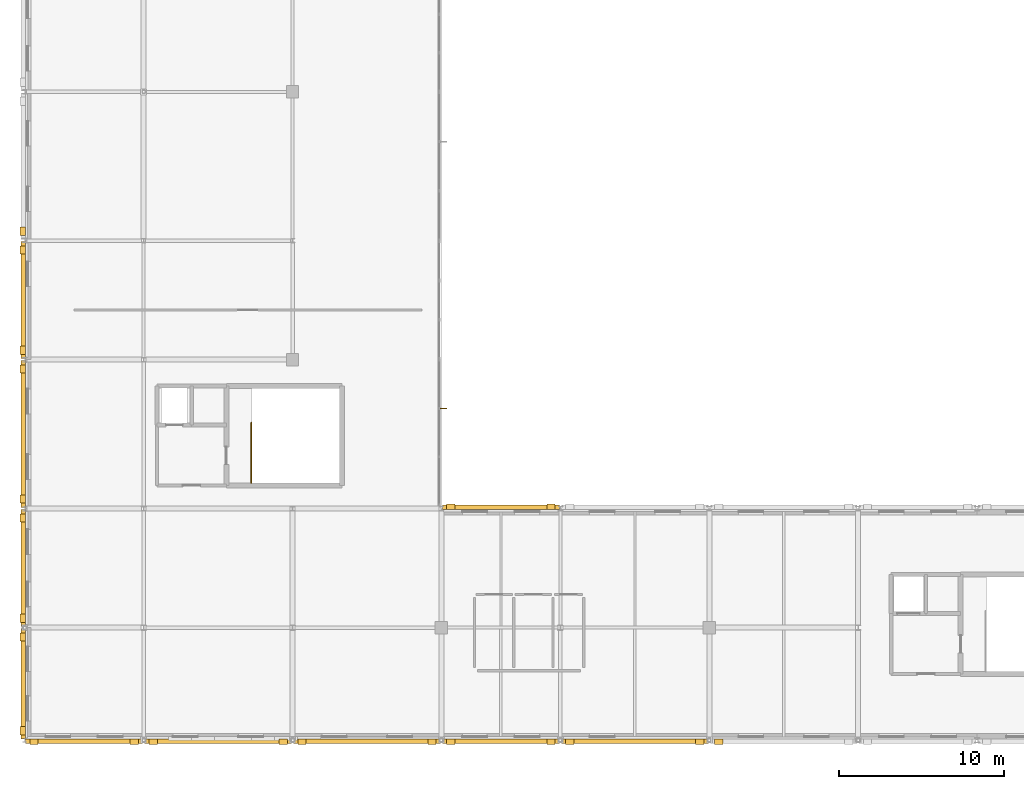
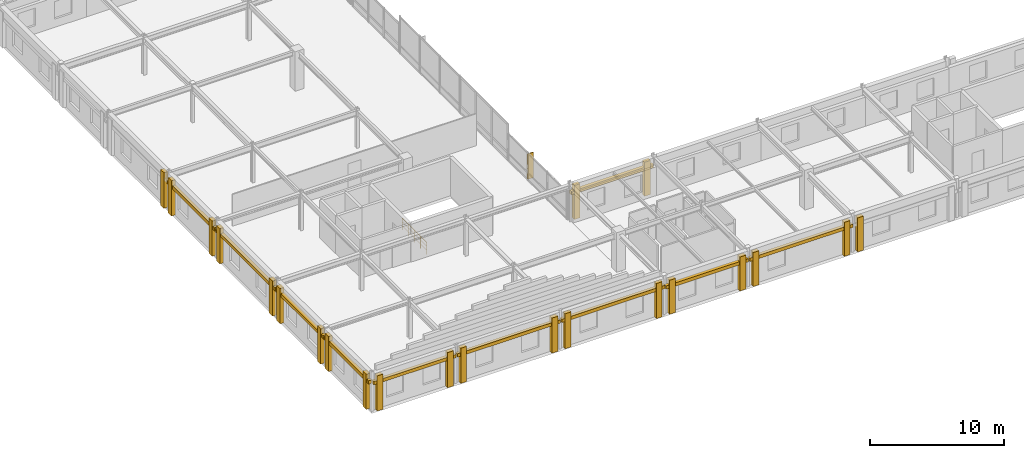
# One storey, part 57 of 74: 32 coverings, 1 railing, 1 shading device.
"""IFC4 building model written with IfcOpenShell, lengths in metres."""

from ifc_helpers import new_model, si_unit, direction, frame, frame_2d, origin, origin_2d, place, context, subcontext, project, spatial, rectangle, circle, extrude, material, layer, layer_set, type_object, element, save


model = new_model("IFC4")

# Units and contexts
model_context = context("Model", 3, precision=1e-05, world=origin(), true_north=direction((0.0, 1.0)))
body_context = subcontext(model_context, "Body", "Model", "MODEL_VIEW")
ifc_project = project(units=[si_unit("LENGTHUNIT", "METRE"), si_unit("AREAUNIT", "SQUARE_METRE"), si_unit("VOLUMEUNIT", "CUBIC_METRE"), si_unit("PLANEANGLEUNIT", "RADIAN"), si_unit("MASSUNIT", "GRAM", prefix="KILO")], contexts=[model_context])

# Site, building, storey
site_placement = place(None, origin())
site = spatial("IfcSite", under=ifc_project, at=site_placement, CompositionType="ELEMENT")
building_placement = place(site_placement, origin())
building = spatial("IfcBuilding", under=site, at=building_placement, Name="Clarverna Civic Hall", CompositionType="ELEMENT")
storey_placement = place(building_placement, frame((0.0, 0.0, 13.199951171875)))
storey = spatial("IfcBuildingStorey", under=building, at=storey_placement, Name="L03", CompositionType="ELEMENT", Elevation=13.199951171875)

# Coverings
ifc_material_1 = material(Name="Montjuic Buff Limestone Ashlar Cladding", Category="masonry")
ifc_layer_1 = layer(ifc_material_1, 0.070068359375)
ifc_layer_set_1 = layer_set([ifc_layer_1], Name="Montjuic Buff Limestone Ashlar Cladding")
covering_type = type_object("IfcCoveringType", Name="CV-CL2", PredefinedType="CLADDING", material=ifc_layer_set_1)
covering_1_placement = place(storey_placement, frame((42.219970703125, -0.110107421875, 0.0), z_axis=(0.0, 0.0, 1.0), x_axis=(-1.0, 0.0, 0.0)))
element("IfcCovering", 1, at=covering_1_placement, inside=storey, type_object=covering_type, Name="CV-CL2-676", PredefinedType="CLADDING", context=body_context, shape_type="SweptSolid", body=[
    extrude(rectangle(XDim=0.5, YDim=0.340087890625, at=frame_2d((0.25, 0.0))), origin(), (0.0, 0.0, 1.0), 3.10009765625),
])
covering_2_placement = place(storey_placement, frame((41.340087890625, -0.080078125, 2.340087890625), z_axis=(0.0, 0.0, 1.0), x_axis=(-1.0, 0.0, 0.0)))
element("IfcCovering", 2, at=covering_2_placement, inside=storey, type_object=covering_type, Name="CV-CL2-677", PredefinedType="CLADDING", context=body_context, shape_type="SweptSolid", body=[
    extrude(rectangle(XDim=8.880126953125, YDim=0.280029296875, at=frame_2d((4.43994140625, 0.0))), origin(), (0.0, 0.0, 1.0), 0.300048828125),
])
for number, where, z_axis, x_axis, name in (
    (3, (41.080078125, -0.110107421875, 0.0), (0.0, 0.0, 1.0), (-1.0, 0.0, 0.0), "CV-CL2-678"),
    (4, (33.219970703125, -0.110107421875, 0.0), (0.0, 0.0, 1.0), (-1.0, 0.0, 0.0), "CV-CL2-679"),
):
    element("IfcCovering", number, at=place(storey_placement, frame(where, z_axis=z_axis, x_axis=x_axis)), inside=storey, type_object=covering_type, Name=name, PredefinedType="CLADDING", context=body_context, shape_type="SweptSolid", body=[
        extrude(rectangle(XDim=0.5, YDim=0.340087890625, at=frame_2d((0.25, 0.0))), origin(), (0.0, 0.0, 1.0), 3.10009765625),
    ])
covering_3_placement = place(storey_placement, frame((32.340087890625, -0.080078125, 2.340087890625), z_axis=(0.0, 0.0, 1.0), x_axis=(-1.0, 0.0, 0.0)))
element("IfcCovering", 5, at=covering_3_placement, inside=storey, type_object=covering_type, Name="CV-CL2-680", PredefinedType="CLADDING", context=body_context, shape_type="SweptSolid", body=[
    extrude(rectangle(XDim=7.080078125, YDim=0.280029296875, at=frame_2d((3.5400390625, 0.0))), origin(), (0.0, 0.0, 1.0), 0.300048828125),
])
for number, where, z_axis, x_axis, name in (
    (6, (32.080078125, -0.110107421875, 0.0), (0.0, 0.0, 1.0), (-1.0, 0.0, 0.0), "CV-CL2-681"),
    (7, (26.02001953125, -0.110107421875, 0.0), (0.0, 0.0, 1.0), (-1.0, 0.0, 0.0), "CV-CL2-682"),
):
    element("IfcCovering", number, at=place(storey_placement, frame(where, z_axis=z_axis, x_axis=x_axis)), inside=storey, type_object=covering_type, Name=name, PredefinedType="CLADDING", context=body_context, shape_type="SweptSolid", body=[
        extrude(rectangle(XDim=0.5, YDim=0.340087890625, at=frame_2d((0.25, 0.0))), origin(), (0.0, 0.0, 1.0), 3.10009765625),
    ])
covering_4_placement = place(storey_placement, frame((25.139892578125, -0.080078125, 2.43994140625), z_axis=(0.0, 0.0, 1.0), x_axis=(-1.0, 0.0, 0.0)))
element("IfcCovering", 8, at=covering_4_placement, inside=storey, type_object=covering_type, Name="CV-CL2-683", PredefinedType="CLADDING", context=body_context, shape_type="SweptSolid", body=[
    extrude(rectangle(XDim=8.8798828125, YDim=0.280029296875, at=frame_2d((4.43994140625, 0.0))), origin(), (0.0, 0.0, 1.0), 0.300048828125),
])
for number, where, z_axis, x_axis, name in (
    (9, (24.8798828125, -0.110107421875, 0.0), (0.0, 0.0, 1.0), (-1.0, 0.0, 0.0), "CV-CL2-684"),
    (10, (17.02001953125, -0.110107421875, 0.0), (0.0, 0.0, 1.0), (-1.0, 0.0, 0.0), "CV-CL2-685"),
):
    element("IfcCovering", number, at=place(storey_placement, frame(where, z_axis=z_axis, x_axis=x_axis)), inside=storey, type_object=covering_type, Name=name, PredefinedType="CLADDING", context=body_context, shape_type="SweptSolid", body=[
        extrude(rectangle(XDim=0.5, YDim=0.340087890625, at=frame_2d((0.25, 0.0))), origin(), (0.0, 0.0, 1.0), 3.199951171875),
    ])
covering_5_placement = place(storey_placement, frame((16.139892578125, -0.080078125, 2.43994140625), z_axis=(0.0, 0.0, 1.0), x_axis=(-1.0, 0.0, 0.0)))
element("IfcCovering", 11, at=covering_5_placement, inside=storey, type_object=covering_type, Name="CV-CL2-686", PredefinedType="CLADDING", context=body_context, shape_type="SweptSolid", body=[
    extrude(rectangle(XDim=8.8798828125, YDim=0.280029296875, at=frame_2d((4.43994140625, 0.0))), origin(), (0.0, 0.0, 1.0), 0.300048828125),
])
for number, where, z_axis, x_axis, name in (
    (12, (15.8798828125, -0.110107421875, 0.0), (0.0, 0.0, 1.0), (-1.0, 0.0, 0.0), "CV-CL2-687"),
    (13, (8.02001953125, -0.110107421875, 0.0), (0.0, 0.0, 1.0), (-1.0, 0.0, 0.0), "CV-CL2-688"),
):
    element("IfcCovering", number, at=place(storey_placement, frame(where, z_axis=z_axis, x_axis=x_axis)), inside=storey, type_object=covering_type, Name=name, PredefinedType="CLADDING", context=body_context, shape_type="SweptSolid", body=[
        extrude(rectangle(XDim=0.5, YDim=0.340087890625, at=frame_2d((0.25, 0.0))), origin(), (0.0, 0.0, 1.0), 3.199951171875),
    ])
covering_6_placement = place(storey_placement, frame((7.139892578125, -0.080078125, 2.43994140625), z_axis=(0.0, 0.0, 1.0), x_axis=(-1.0, 0.0, 0.0)))
element("IfcCovering", 14, at=covering_6_placement, inside=storey, type_object=covering_type, Name="CV-CL2-689", PredefinedType="CLADDING", context=body_context, shape_type="SweptSolid", body=[
    extrude(rectangle(XDim=7.079833984375, YDim=0.280029296875, at=frame_2d((3.5400390625, 0.0))), origin(), (0.0, 0.0, 1.0), 0.300048828125),
])
for number, where, z_axis, x_axis, name in (
    (15, (6.8798828125, -0.110107421875, 0.0), (0.0, 0.0, 1.0), (-1.0, 0.0, 0.0), "CV-CL2-690"),
    (16, (0.820068359375, -0.110107421875, 0.0), (0.0, 0.0, 1.0), (-1.0, 0.0, 0.0), "CV-CL2-691"),
):
    element("IfcCovering", number, at=place(storey_placement, frame(where, z_axis=z_axis, x_axis=x_axis)), inside=storey, type_object=covering_type, Name=name, PredefinedType="CLADDING", context=body_context, shape_type="SweptSolid", body=[
        extrude(rectangle(XDim=0.5, YDim=0.340087890625, at=frame_2d((0.25, 0.0))), origin(), (0.0, 0.0, 1.0), 3.199951171875),
    ])
covering_7_placement = place(storey_placement, frame((-0.080078125, 0.06005859375, 2.43994140625), z_axis=(0.0, 0.0, 1.0), x_axis=(0.0, 1.0, 0.0)))
element("IfcCovering", 17, at=covering_7_placement, inside=storey, type_object=covering_type, Name="CV-CL2-692", PredefinedType="CLADDING", context=body_context, shape_type="SweptSolid", body=[
    extrude(rectangle(XDim=6.679931640625, YDim=0.280029296875, at=frame_2d((3.33984375, 0.0))), origin(), (0.0, 0.0, 1.0), 0.300048828125),
])
for number, where, z_axis, x_axis, name in (
    (18, (-0.110107421875, 0.320068359375, 0.0), (0.0, 0.0, 1.0), (0.0, 1.0, 0.0), "CV-CL2-693"),
    (19, (-0.110107421875, 5.97998046875, 0.0), (0.0, 0.0, 1.0), (0.0, 1.0, 0.0), "CV-CL2-694"),
):
    element("IfcCovering", number, at=place(storey_placement, frame(where, z_axis=z_axis, x_axis=x_axis)), inside=storey, type_object=covering_type, Name=name, PredefinedType="CLADDING", context=body_context, shape_type="SweptSolid", body=[
        extrude(rectangle(XDim=0.5, YDim=0.340087890625, at=frame_2d((0.25, 0.0))), origin(), (0.0, 0.0, 1.0), 3.199951171875),
    ])
covering_8_placement = place(storey_placement, frame((-0.080078125, 6.860107421875, 2.43994140625), z_axis=(0.0, 0.0, 1.0), x_axis=(0.0, 1.0, 0.0)))
element("IfcCovering", 20, at=covering_8_placement, inside=storey, type_object=covering_type, Name="CV-CL2-695", PredefinedType="CLADDING", context=body_context, shape_type="SweptSolid", body=[
    extrude(rectangle(XDim=7.079833984375, YDim=0.280029296875, at=frame_2d((3.5400390625, 0.0))), origin(), (0.0, 0.0, 1.0), 0.300048828125),
])
for number, where, z_axis, x_axis, name in (
    (21, (-0.110107421875, 7.1201171875, 0.0), (0.0, 0.0, 1.0), (0.0, 1.0, 0.0), "CV-CL2-696"),
    (22, (-0.110107421875, 13.179931640625, 0.0), (0.0, 0.0, 1.0), (0.0, 1.0, 0.0), "CV-CL2-697"),
):
    element("IfcCovering", number, at=place(storey_placement, frame(where, z_axis=z_axis, x_axis=x_axis)), inside=storey, type_object=covering_type, Name=name, PredefinedType="CLADDING", context=body_context, shape_type="SweptSolid", body=[
        extrude(rectangle(XDim=0.5, YDim=0.340087890625, at=frame_2d((0.25, 0.0))), origin(), (0.0, 0.0, 1.0), 3.199951171875),
    ])
covering_9_placement = place(storey_placement, frame((-0.080078125, 14.06005859375, 2.43994140625), z_axis=(0.0, 0.0, 1.0), x_axis=(0.0, 1.0, 0.0)))
element("IfcCovering", 23, at=covering_9_placement, inside=storey, type_object=covering_type, Name="CV-CL2-698", PredefinedType="CLADDING", context=body_context, shape_type="SweptSolid", body=[
    extrude(rectangle(XDim=8.8798828125, YDim=0.280029296875, at=frame_2d((4.43994140625, 0.0))), origin(), (0.0, 0.0, 1.0), 0.300048828125),
])
for number, where, z_axis, x_axis, name in (
    (24, (-0.110107421875, 14.320068359375, 0.0), (0.0, 0.0, 1.0), (0.0, 1.0, 0.0), "CV-CL2-699"),
    (25, (-0.110107421875, 22.179931640625, 0.0), (0.0, 0.0, 1.0), (0.0, 1.0, 0.0), "CV-CL2-700"),
):
    element("IfcCovering", number, at=place(storey_placement, frame(where, z_axis=z_axis, x_axis=x_axis)), inside=storey, type_object=covering_type, Name=name, PredefinedType="CLADDING", context=body_context, shape_type="SweptSolid", body=[
        extrude(rectangle(XDim=0.5, YDim=0.340087890625, at=frame_2d((0.25, 0.0))), origin(), (0.0, 0.0, 1.0), 3.199951171875),
    ])
covering_10_placement = place(storey_placement, frame((-0.080078125, 23.06005859375, 2.43994140625), z_axis=(0.0, 0.0, 1.0), x_axis=(0.0, 1.0, 0.0)))
element("IfcCovering", 26, at=covering_10_placement, inside=storey, type_object=covering_type, Name="CV-CL2-701", PredefinedType="CLADDING", context=body_context, shape_type="SweptSolid", body=[
    extrude(rectangle(XDim=7.079833984375, YDim=0.280029296875, at=frame_2d((3.5400390625, 0.0))), origin(), (0.0, 0.0, 1.0), 0.300048828125),
])
for number, where, z_axis, x_axis, name in (
    (27, (-0.110107421875, 23.320068359375, 0.0), (0.0, 0.0, 1.0), (0.0, 1.0, 0.0), "CV-CL2-702"),
    (28, (-0.110107421875, 29.3798828125, 0.0), (0.0, 0.0, 1.0), (0.0, 1.0, 0.0), "CV-CL2-703"),
):
    element("IfcCovering", number, at=place(storey_placement, frame(where, z_axis=z_axis, x_axis=x_axis)), inside=storey, type_object=covering_type, Name=name, PredefinedType="CLADDING", context=body_context, shape_type="SweptSolid", body=[
        extrude(rectangle(XDim=0.5, YDim=0.340087890625, at=frame_2d((0.25, 0.0))), origin(), (0.0, 0.0, 1.0), 3.199951171875),
    ])
covering_11_placement = place(storey_placement, frame((-0.110107421875, 30.52001953125, 0.0), z_axis=(0.0, 0.0, 1.0), x_axis=(0.0, 1.0, 0.0)))
element("IfcCovering", 29, at=covering_11_placement, inside=storey, type_object=covering_type, Name="CV-CL2-705", PredefinedType="CLADDING", context=body_context, shape_type="SweptSolid", body=[
    extrude(rectangle(XDim=0.5, YDim=0.340087890625, at=frame_2d((0.25, 0.0))), origin(), (0.0, 0.0, 1.0), 3.239990234375),
])
covering_12_placement = place(storey_placement, frame((25.260009765625, 14.080078125, 2.340087890625), z_axis=(0.0, 0.0, 1.0), x_axis=(1.0, 0.0, 0.0)))
element("IfcCovering", 30, at=covering_12_placement, inside=storey, type_object=covering_type, Name="CV-CL2-722", PredefinedType="CLADDING", context=body_context, shape_type="SweptSolid", body=[
    extrude(rectangle(XDim=7.080078125, YDim=0.280029296875, at=frame_2d((3.5400390625, 0.0))), origin(), (0.0, 0.0, 1.0), 0.300048828125),
])
for number, where, z_axis, x_axis, name in (
    (31, (25.52001953125, 14.110107421875, 0.0), (0.0, 0.0, 1.0), (1.0, 0.0, 0.0), "CV-CL2-723"),
    (32, (31.580078125, 14.110107421875, 0.0), (0.0, 0.0, 1.0), (1.0, 0.0, 0.0), "CV-CL2-724"),
):
    element("IfcCovering", number, at=place(storey_placement, frame(where, z_axis=z_axis, x_axis=x_axis)), inside=storey, type_object=covering_type, Name=name, PredefinedType="CLADDING", context=body_context, shape_type="SweptSolid", body=[
        extrude(rectangle(XDim=0.5, YDim=0.340087890625, at=frame_2d((0.25, 0.0))), origin(), (0.0, 0.0, 1.0), 3.10009765625),
    ])

# Railing
ifc_material_2 = material(Name="Anodised Bronze Architectural Balustrade")
railing_type = type_object("IfcRailingType", Name="GR-02", PredefinedType="BALUSTRADE", material=ifc_material_2)
railing_placement = place(storey_placement, frame((13.7099609375, 15.5400390625, 0.0)))
element("IfcRailing", 33, at=railing_placement, inside=storey, type_object=railing_type, Name="GR-02-151", PredefinedType="BALUSTRADE", context=body_context, shape_type="SweptSolid", body=[
    extrude(circle(Radius=0.02392578125, at=origin_2d()), frame((0.0, 0.0, 1.09619140625), z_axis=(0.0, 1.0, 0.0), x_axis=(-1.0, 0.0, 0.0)), (0.0, 0.0, 1.0), 3.659912109375),
    extrude(circle(Radius=0.011962890625, at=origin_2d()), frame((0.0, 0.0, 0.39208984375), z_axis=(0.0, 1.0, 0.0), x_axis=(-1.0, 0.0, 0.0)), (0.0, 0.0, 1.0), 3.659912109375),
    extrude(circle(Radius=0.011962890625, at=origin_2d()), frame((0.0, 0.0, 0.76171875), z_axis=(0.0, 1.0, 0.0), x_axis=(-1.0, 0.0, 0.0)), (0.0, 0.0, 1.0), 3.659912109375),
    extrude(circle(Radius=0.02099609375, at=origin_2d()), origin(), (0.0, 0.0, 1.0), 1.072021484375),
    extrude(circle(Radius=0.02099609375, at=origin_2d()), frame((0.0, 0.9150390625, 0.0)), (0.0, 0.0, 1.0), 1.072021484375),
    extrude(circle(Radius=0.02099609375, at=origin_2d()), frame((0.0, 1.830078125, 0.0)), (0.0, 0.0, 1.0), 1.072021484375),
    extrude(circle(Radius=0.02099609375, at=origin_2d()), frame((0.0, 2.744873046875, 0.0)), (0.0, 0.0, 1.0), 1.072021484375),
    extrude(circle(Radius=0.02099609375, at=origin_2d()), frame((0.0, 3.659912109375, 0.0)), (0.0, 0.0, 1.0), 1.072021484375),
])

# Shading device
ifc_material_3 = material(Name="Anodised Bronze Architectural Solar Fin", Category="aluminium")
ifc_layer_2 = layer(ifc_material_3, 0.054931640625)
ifc_layer_set_2 = layer_set([ifc_layer_2], Name="Anodised Bronze Architectural Solar Fin")
shading_device_type = type_object("IfcShadingDeviceType", Name="SD-FN1", PredefinedType="USERDEFINED", material=ifc_layer_set_2)
shading_device_placement = place(storey_placement, frame((25.030029296875, 20.049072265625, 0.150146484375), z_axis=(0.0, 0.0, 1.0), x_axis=(1.0, 0.0, 0.0)))
element("IfcShadingDevice", 34, at=shading_device_placement, inside=storey, type_object=shading_device_type, Name="SD-FN1-047", ObjectType="FIN", PredefinedType="USERDEFINED", context=body_context, shape_type="SweptSolid", body=[
    extrude(rectangle(XDim=0.47998046875, YDim=0.054931640625, at=frame_2d((0.239990234375, 0.0))), origin(), (0.0, 0.0, 1.0), 2.31982421875),
])

save(model, "model.ifc")
